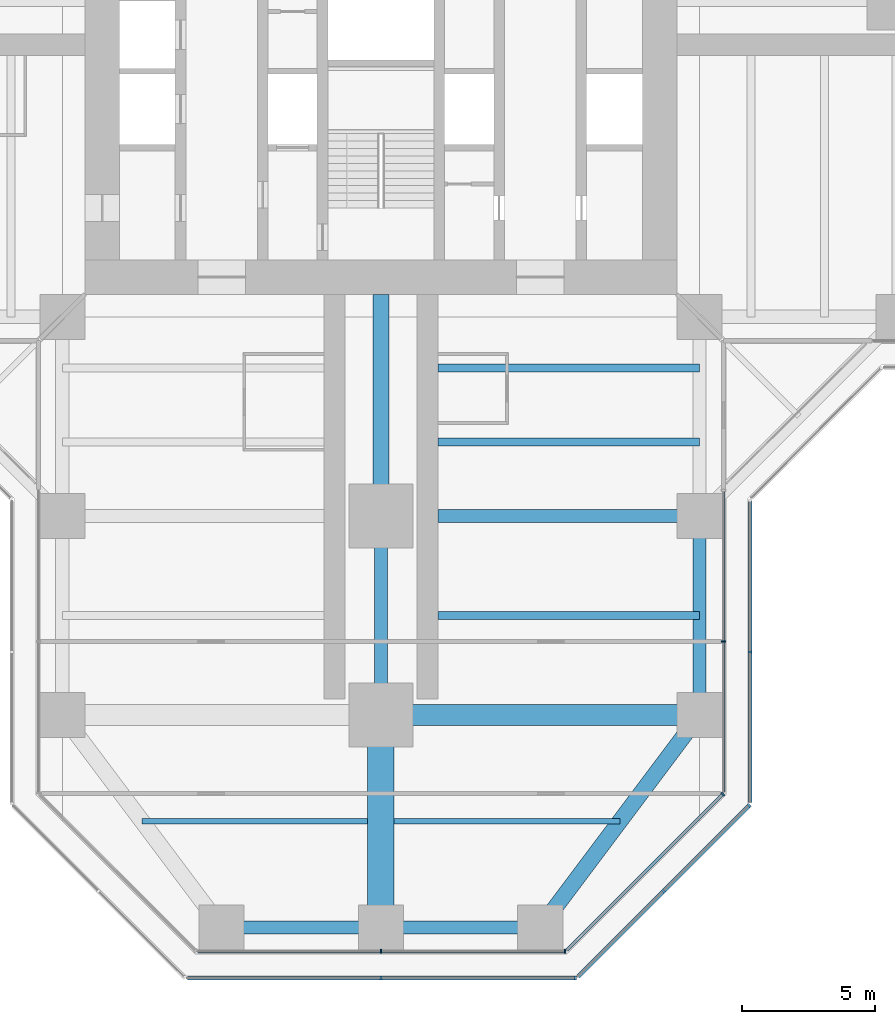
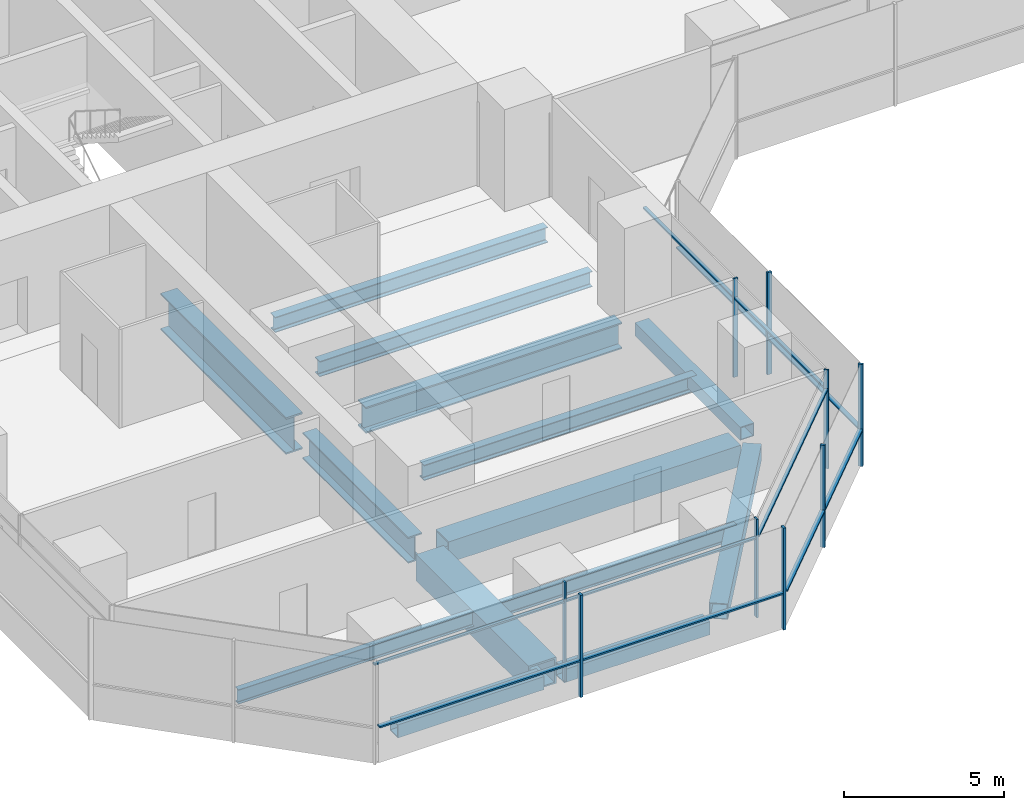
# One storey, part 5 of 22: 20 members, 14 beams, 6 elements without a shape of their own.
"""IFC4 building model written with IfcOpenShell, lengths in metres."""

from ifc_helpers import new_model, si_unit, direction, frame, origin, origin_2d, place, context, subcontext, project, spatial, rectangle, hollow_rectangle, i_section, extrude, material, material_profile, profile_set, type_object, element, aggregate, save


model = new_model("IFC4")

# Units and contexts
model_context = context("Model", 3, precision=1e-05, world=origin(), true_north=direction((0.0, 1.0)))
body_context = subcontext(model_context, "Body", "Model", "MODEL_VIEW")
ifc_project = project(units=[si_unit("LENGTHUNIT", "METRE"), si_unit("AREAUNIT", "SQUARE_METRE"), si_unit("VOLUMEUNIT", "CUBIC_METRE"), si_unit("PLANEANGLEUNIT", "RADIAN"), si_unit("MASSUNIT", "GRAM", prefix="KILO")], contexts=[model_context])

# Site, building, storey
site_placement = place(None, origin())
site = spatial("IfcSite", under=ifc_project, at=site_placement, CompositionType="ELEMENT")
building_placement = place(site_placement, origin())
building = spatial("IfcBuilding", under=site, at=building_placement, Name="Mizan Broadcast Tower", CompositionType="ELEMENT")
storey_placement = place(building_placement, frame((0.0, 0.0, 98.10009765625)))
storey = spatial("IfcBuildingStorey", under=building, at=storey_placement, Name="L21", CompositionType="ELEMENT", Elevation=98.10009765625)

# Beams
ifc_material_1 = material(Name="Steel S355", Category="steel")
ifc_material_profile_1 = material_profile(ifc_material_1, hollow_rectangle(XDim=0.5, YDim=0.5, WallThickness=0.030029296875, at=origin_2d()), Name="BOX 500x500x30")
ifc_profile_set_1 = profile_set([ifc_material_profile_1], Name="Steel S355")
beam_type_1 = type_object("IfcBeamType", Name="EDGE BEAM BOX 500x500x30", PredefinedType="SPANDREL", material=ifc_profile_set_1)
beam_1_placement = place(storey_placement, frame((-5.639892578125, -35.0, -0.380126953125), z_axis=(1.0, 0.0, 0.0), x_axis=(0.0, 1.0, 0.0)))
element("IfcBeam", 1, at=beam_1_placement, inside=storey, type_object=beam_type_1, Name="Edge beam BOX 500x500x30 L21 south arm", PredefinedType="SPANDREL", context=body_context, shape_type="SweptSolid", body=[
    extrude(hollow_rectangle(XDim=0.5, YDim=0.5, WallThickness=0.030029296875, at=origin_2d()), origin(), (0.0, 0.0, 1.0), 5.27978515625),
])
beam_2_placement = place(storey_placement, frame((12.0, -19.949951171875, -0.380126953125), z_axis=(0.0, -1.0, 0.0), x_axis=(1.0, 0.0, 0.0)))
element("IfcBeam", 2, at=beam_2_placement, inside=storey, type_object=beam_type_1, Name="Edge beam BOX 500x500x30 L21 south arm", PredefinedType="SPANDREL", context=body_context, shape_type="SweptSolid", body=[
    extrude(hollow_rectangle(XDim=0.5, YDim=0.5, WallThickness=0.030029296875, at=origin_2d()), origin(), (0.0, 0.0, 1.0), 6.60009765625),
])
beam_3_placement = place(storey_placement, frame((5.639892578125, -35.0, -0.380126953125), z_axis=(-1.0, 0.0, 0.0), x_axis=(0.0, -1.0, 0.0)))
element("IfcBeam", 3, at=beam_3_placement, inside=storey, type_object=beam_type_1, Name="Edge beam BOX 500x500x30 L21 south arm", PredefinedType="SPANDREL", context=body_context, shape_type="SweptSolid", body=[
    extrude(hollow_rectangle(XDim=0.5, YDim=0.5, WallThickness=0.030029296875, at=origin_2d()), origin(), (0.0, 0.0, 1.0), 5.27978515625),
])
ifc_material_2 = material(Name="Steel S355", Category="steel")
ifc_material_profile_2 = material_profile(ifc_material_2, hollow_rectangle(XDim=0.60009765625, YDim=0.60009765625, WallThickness=0.030029296875, at=origin_2d()), Name="BOX 600x600x30")
ifc_profile_set_2 = profile_set([ifc_material_profile_2], Name="Steel S355")
beam_type_2 = type_object("IfcBeamType", Name="EDGE BEAM BOX 600x600x30", PredefinedType="SPANDREL", material=ifc_profile_set_2)
beam_4_placement = place(storey_placement, frame((11.639892578125, -27.47998046875, -0.43017578125), z_axis=(-0.599982243973, -0.800013316712, 0.0), x_axis=(0.800013316712, -0.599982243973, 0.0)))
element("IfcBeam", 4, at=beam_4_placement, inside=storey, type_object=beam_type_2, Name="Edge beam BOX 600x600x30 L21 south arm", PredefinedType="SPANDREL", context=body_context, shape_type="SweptSolid", body=[
    extrude(hollow_rectangle(XDim=0.60009765625, YDim=0.60009765625, WallThickness=0.030029296875, at=origin_2d()), origin(), (0.0, 0.0, 1.0), 8.7998046875),
])
ifc_material_3 = material(Name="Steel S460", Category="steel")
ifc_material_profile_3 = material_profile(ifc_material_3, hollow_rectangle(XDim=1.0, YDim=1.0, WallThickness=0.06005859375, at=origin_2d()), Name="BOX 1000x1000x60")
ifc_profile_set_3 = profile_set([ifc_material_profile_3], Name="Steel S460")
beam_type_3 = type_object("IfcBeamType", Name="GIRDER BOX 1000x1000x60", PredefinedType="BEAM", material=ifc_profile_set_3)
beam_5_placement = place(storey_placement, frame((0.0, -27.47998046875, -0.630126953125), z_axis=(0.0, -1.0, 0.0), x_axis=(1.0, 0.0, 0.0)))
element("IfcBeam", 5, at=beam_5_placement, inside=storey, type_object=beam_type_3, Name="Girder BOX 1000x1000x60 L21 south arm", PredefinedType="BEAM", context=body_context, shape_type="SweptSolid", body=[
    extrude(hollow_rectangle(XDim=1.0, YDim=1.0, WallThickness=0.06005859375, at=origin_2d()), origin(), (0.0, 0.0, 1.0), 7.0400390625),
])
ifc_material_4 = material(Name="Steel S460", Category="steel")
ifc_material_profile_4 = material_profile(ifc_material_4, hollow_rectangle(XDim=0.800048828125, YDim=0.800048828125, WallThickness=0.050048828125, at=origin_2d()), Name="BOX 800x800x50")
ifc_profile_set_4 = profile_set([ifc_material_profile_4], Name="Steel S460")
beam_type_4 = type_object("IfcBeamType", Name="GIRDER BOX 800x800x50", PredefinedType="BEAM", material=ifc_profile_set_4)
beam_6_placement = place(storey_placement, frame((11.280029296875, -27.0, -0.530029296875), z_axis=(-1.0, 0.0, 0.0), x_axis=(0.0, -1.0, 0.0)))
element("IfcBeam", 6, at=beam_6_placement, inside=storey, type_object=beam_type_4, Name="Girder BOX 800x800x50 L21 south arm", PredefinedType="BEAM", context=body_context, shape_type="SweptSolid", body=[
    extrude(hollow_rectangle(XDim=0.800048828125, YDim=0.800048828125, WallThickness=0.050048828125, at=origin_2d()), origin(), (0.0, 0.0, 1.0), 10.56005859375),
])
ifc_material_5 = material(Name="Steel S460", Category="steel")
ifc_material_profile_5 = material_profile(ifc_material_5, i_section(OverallWidth=0.5, OverallDepth=1.0, WebThickness=0.02490234375, FlangeThickness=0.050048828125, at=origin_2d()), Name="WPG 1000x500")
ifc_profile_set_5 = profile_set([ifc_material_profile_5], Name="Steel S460")
beam_type_5 = type_object("IfcBeamType", Name="GIRDER WPG 1000x500", PredefinedType="BEAM", material=ifc_profile_set_5)
beam_7_placement = place(storey_placement, frame((0.0, -19.949951171875, -0.630126953125), z_axis=(0.0, -1.0, 0.0), x_axis=(1.0, 0.0, 0.0)))
element("IfcBeam", 7, at=beam_7_placement, inside=storey, type_object=beam_type_5, Name="Girder WPG 1000x500 L21 south arm", PredefinedType="BEAM", context=body_context, shape_type="SweptSolid", body=[
    extrude(i_section(OverallWidth=0.5, OverallDepth=1.0, WebThickness=0.02490234375, FlangeThickness=0.050048828125, at=origin_2d()), origin(), (0.0, 0.0, 1.0), 6.60009765625),
])
beam_8_placement = place(storey_placement, frame((11.408935546875, -19.5, -0.630126953125), z_axis=(-1.0, 0.0, 0.0), x_axis=(0.0, -1.0, 0.0)))
element("IfcBeam", 8, at=beam_8_placement, inside=storey, type_object=beam_type_5, Name="Girder WPG 1000x500 L21 south arm", PredefinedType="BEAM", context=body_context, shape_type="SweptSolid", body=[
    extrude(i_section(OverallWidth=0.5, OverallDepth=1.0, WebThickness=0.02490234375, FlangeThickness=0.050048828125, at=origin_2d()), origin(), (0.0, 0.0, 1.0), 9.259033203125),
])
ifc_material_6 = material(Name="Steel S460", Category="steel")
ifc_material_profile_6 = material_profile(ifc_material_6, i_section(OverallWidth=0.60009765625, OverallDepth=1.39990234375, WebThickness=0.02490234375, FlangeThickness=0.06005859375, at=origin_2d()), Name="WPG 1400x600")
ifc_profile_set_6 = profile_set([ifc_material_profile_6], Name="Steel S460")
beam_type_6 = type_object("IfcBeamType", Name="GIRDER WPG 1400x600", PredefinedType="BEAM", material=ifc_profile_set_6)
beam_9_placement = place(storey_placement, frame((0.0, -11.14990234375, -0.830078125), z_axis=(0.0, -1.0, 0.0), x_axis=(1.0, 0.0, 0.0)))
element("IfcBeam", 9, at=beam_9_placement, inside=storey, type_object=beam_type_6, Name="Girder WPG 1400x600 L21 south arm", PredefinedType="BEAM", context=body_context, shape_type="SweptSolid", body=[
    extrude(i_section(OverallWidth=0.60009765625, OverallDepth=1.39990234375, WebThickness=0.02490234375, FlangeThickness=0.06005859375, at=origin_2d()), origin(), (0.0, 0.0, 1.0), 7.84912109375),
])

# Curtain wall, members
ifc_material_7 = material(Name="Aluminium framed glazing", Category="aluminium")
curtain_wall_type_1 = type_object("IfcCurtainWallType", Name="INNER SKIN LOW ZONE", PredefinedType="USERDEFINED", material=ifc_material_7)
curtain_wall_1_placement = place(storey_placement, origin())
curtain_wall_1 = element("IfcCurtainWall", 10, at=curtain_wall_1_placement, inside=storey, type_object=curtain_wall_type_1, Name="Inner skin low zone L21 S end", ObjectType="INNER SKIN LOW ZONE", PredefinedType="USERDEFINED")
ifc_material_8 = material(Name="Aluminium, pale anodised", Category="aluminium")
ifc_material_profile_7 = material_profile(ifc_material_8, rectangle(XDim=0.159912109375, YDim=0.06005859375, at=origin_2d()), Name="MULLION 160x60")
ifc_profile_set_7 = profile_set([ifc_material_profile_7], Name="Aluminium, pale anodised")
member_type_1 = type_object("IfcMemberType", Name="INNER SKIN MULLION 60x160", PredefinedType="MULLION", material=ifc_profile_set_7)
member_1_placement = place(storey_placement, frame((0.0, -35.89990234375, 0.0), z_axis=(0.0, 0.0, 1.0), x_axis=(0.0, 1.0, 0.0)))
member_1 = element("IfcMember", 11, at=member_1_placement, type_object=member_type_1, Name="Inner skin low zone L21 S end mullion 2", PredefinedType="MULLION", context=body_context, shape_type="SweptSolid", body=[
    extrude(rectangle(XDim=0.159912109375, YDim=0.06005859375, at=origin_2d()), origin(), (0.0, 0.0, 1.0), 3.77001953125),
])
member_2_placement = place(storey_placement, frame((6.928466796875, -35.89990234375, 0.0), z_axis=(0.0, 0.0, 1.0), x_axis=(0.0, 1.0, 0.0)))
member_2 = element("IfcMember", 12, at=member_2_placement, type_object=member_type_1, Name="Inner skin low zone L21 S end mullion 3", PredefinedType="MULLION", context=body_context, shape_type="SweptSolid", body=[
    extrude(rectangle(XDim=0.159912109375, YDim=0.06005859375, at=origin_2d()), origin(), (0.0, 0.0, 1.0), 3.77001953125),
])

# Curtain wall, member
curtain_wall_2_placement = place(storey_placement, origin())
curtain_wall_2 = element("IfcCurtainWall", 13, at=curtain_wall_2_placement, inside=storey, type_object=curtain_wall_type_1, Name="Inner skin low zone L21 S chamfer", ObjectType="INNER SKIN LOW ZONE", PredefinedType="USERDEFINED")
member_3_placement = place(storey_placement, frame((12.87890625, -29.979736328125, 0.0), z_axis=(0.0, 0.0, 1.0), x_axis=(-0.707106781187, 0.707106781187, 0.0)))
member_3 = element("IfcMember", 14, at=member_3_placement, type_object=member_type_1, Name="Inner skin low zone L21 S chamfer mullion 2", PredefinedType="MULLION", context=body_context, shape_type="SweptSolid", body=[
    extrude(rectangle(XDim=0.159912109375, YDim=0.06005859375, at=origin_2d()), origin(), (0.0, 0.0, 1.0), 3.77001953125),
])

curtain_wall_3_placement = place(storey_placement, origin())
curtain_wall_3 = element("IfcCurtainWall", 15, at=curtain_wall_3_placement, inside=storey, type_object=curtain_wall_type_1, Name="Inner skin low zone L21 S side", ObjectType="INNER SKIN LOW ZONE", PredefinedType="USERDEFINED")
member_4_placement = place(storey_placement, frame((12.89990234375, -24.229248046875, 0.0), z_axis=(0.0, 0.0, 1.0), x_axis=(-1.0, 0.0, 0.0)))
member_4 = element("IfcMember", 16, at=member_4_placement, type_object=member_type_1, Name="Inner skin low zone L21 S side mullion 2", PredefinedType="MULLION", context=body_context, shape_type="SweptSolid", body=[
    extrude(rectangle(XDim=0.159912109375, YDim=0.06005859375, at=origin_2d()), origin(), (0.0, 0.0, 1.0), 3.77001953125),
])

# Member
ifc_material_9 = material(Name="Aluminium, pale anodised", Category="aluminium")
ifc_material_profile_8 = material_profile(ifc_material_9, rectangle(XDim=0.1201171875, YDim=0.06005859375, at=origin_2d()), Name="TRANSOM 120x60")
ifc_profile_set_8 = profile_set([ifc_material_profile_8], Name="Aluminium, pale anodised")
member_type_2 = type_object("IfcMemberType", Name="INNER SKIN TRANSOM 60x120", PredefinedType="USERDEFINED", material=ifc_profile_set_8)
member_5_placement = place(storey_placement, frame((-6.898681640625, -35.89990234375, 3.02978515625), z_axis=(1.0, 0.0, 0.0), x_axis=(0.0, 1.0, 0.0)))
member_5 = element("IfcMember", 17, at=member_5_placement, type_object=member_type_2, Name="Inner skin low zone L21 S end transom 1.1", ObjectType="TRANSOM", PredefinedType="USERDEFINED", context=body_context, shape_type="SweptSolid", body=[
    extrude(rectangle(XDim=0.1201171875, YDim=0.06005859375, at=origin_2d()), origin(), (0.0, 0.0, 1.0), 6.86865234375),
])

member_6_placement = place(storey_placement, frame((0.030029296875, -35.89990234375, 3.02978515625), z_axis=(1.0, 0.0, 0.0), x_axis=(0.0, 1.0, 0.0)))
member_6 = element("IfcMember", 18, at=member_6_placement, type_object=member_type_2, Name="Inner skin low zone L21 S end transom 2.1", ObjectType="TRANSOM", PredefinedType="USERDEFINED", context=body_context, shape_type="SweptSolid", body=[
    extrude(rectangle(XDim=0.1201171875, YDim=0.06005859375, at=origin_2d()), origin(), (0.0, 0.0, 1.0), 6.86865234375),
])

aggregate(curtain_wall_1, [member_1, member_2, member_5, member_6])

member_7_placement = place(storey_placement, frame((7.0009765625, -35.857666015625, 3.02978515625), z_axis=(0.707106781187, 0.707106781187, 0.0), x_axis=(-0.707106781187, 0.707106781187, 0.0)))
member_7 = element("IfcMember", 19, at=member_7_placement, type_object=member_type_2, Name="Inner skin low zone L21 S chamfer transom 1.1", ObjectType="TRANSOM", PredefinedType="USERDEFINED", context=body_context, shape_type="SweptSolid", body=[
    extrude(rectangle(XDim=0.1201171875, YDim=0.06005859375, at=origin_2d()), origin(), (0.0, 0.0, 1.0), 8.28271484375),
])

aggregate(curtain_wall_2, [member_3, member_7])

member_8_placement = place(storey_placement, frame((12.89990234375, -29.898681640625, 3.02978515625), z_axis=(0.0, 1.0, 0.0), x_axis=(-1.0, 0.0, 0.0)))
member_8 = element("IfcMember", 20, at=member_8_placement, type_object=member_type_2, Name="Inner skin low zone L21 S side transom 1.1", ObjectType="TRANSOM", PredefinedType="USERDEFINED", context=body_context, shape_type="SweptSolid", body=[
    extrude(rectangle(XDim=0.1201171875, YDim=0.06005859375, at=origin_2d()), origin(), (0.0, 0.0, 1.0), 5.639404296875),
])

member_9_placement = place(storey_placement, frame((12.89990234375, -24.19921875, 3.02978515625), z_axis=(0.0, 1.0, 0.0), x_axis=(-1.0, 0.0, 0.0)))
member_9 = element("IfcMember", 21, at=member_9_placement, type_object=member_type_2, Name="Inner skin low zone L21 S side transom 2.1", ObjectType="TRANSOM", PredefinedType="USERDEFINED", context=body_context, shape_type="SweptSolid", body=[
    extrude(rectangle(XDim=0.1201171875, YDim=0.06005859375, at=origin_2d()), origin(), (0.0, 0.0, 1.0), 5.63916015625),
])

aggregate(curtain_wall_3, [member_4, member_8, member_9])

# Curtain wall, members
ifc_material_10 = material(Name="Aluminium framed glazing", Category="aluminium")
curtain_wall_type_2 = type_object("IfcCurtainWallType", Name="OUTER SKIN", PredefinedType="USERDEFINED", material=ifc_material_10)
curtain_wall_4_placement = place(storey_placement, origin())
curtain_wall_4 = element("IfcCurtainWall", 22, at=curtain_wall_4_placement, inside=storey, type_object=curtain_wall_type_2, Name="Outer skin L21 S end", ObjectType="OUTER SKIN", PredefinedType="USERDEFINED")
ifc_material_11 = material(Name="Aluminium, pale anodised", Category="aluminium")
ifc_material_profile_9 = material_profile(ifc_material_11, rectangle(XDim=0.159912109375, YDim=0.080078125, at=origin_2d()), Name="MULLION 160x80")
ifc_profile_set_9 = profile_set([ifc_material_profile_9], Name="Aluminium, pale anodised")
member_type_3 = type_object("IfcMemberType", Name="OUTER SKIN MULLION 80x160", PredefinedType="MULLION", material=ifc_profile_set_9)
member_10_placement = place(storey_placement, frame((0.0, -36.89990234375, 0.0), z_axis=(0.0, 0.0, 1.0), x_axis=(0.0, 1.0, 0.0)))
member_10 = element("IfcMember", 23, at=member_10_placement, type_object=member_type_3, Name="Outer skin L21 S end mullion 2", PredefinedType="MULLION", context=body_context, shape_type="SweptSolid", body=[
    extrude(rectangle(XDim=0.159912109375, YDim=0.080078125, at=origin_2d()), origin(), (0.0, 0.0, 1.0), 3.89990234375),
])
member_11_placement = place(storey_placement, frame((7.332763671875, -36.89990234375, 0.0), z_axis=(0.0, 0.0, 1.0), x_axis=(0.0, 1.0, 0.0)))
member_11 = element("IfcMember", 24, at=member_11_placement, type_object=member_type_3, Name="Outer skin L21 S end mullion 3", PredefinedType="MULLION", context=body_context, shape_type="SweptSolid", body=[
    extrude(rectangle(XDim=0.159912109375, YDim=0.080078125, at=origin_2d()), origin(), (0.0, 0.0, 1.0), 3.89990234375),
])

curtain_wall_5_placement = place(storey_placement, origin())
curtain_wall_5 = element("IfcCurtainWall", 25, at=curtain_wall_5_placement, inside=storey, type_object=curtain_wall_type_2, Name="Outer skin L21 S chamfer", ObjectType="OUTER SKIN", PredefinedType="USERDEFINED")
member_12_placement = place(storey_placement, frame((10.636474609375, -33.636474609375, 0.0), z_axis=(0.0, 0.0, 1.0), x_axis=(-0.707106781187, 0.707106781187, 0.0)))
member_12 = element("IfcMember", 26, at=member_12_placement, type_object=member_type_3, Name="Outer skin L21 S chamfer mullion 2", PredefinedType="MULLION", context=body_context, shape_type="SweptSolid", body=[
    extrude(rectangle(XDim=0.159912109375, YDim=0.080078125, at=origin_2d()), origin(), (0.0, 0.0, 1.0), 3.89990234375),
])
member_13_placement = place(storey_placement, frame((13.871826171875, -30.401123046875, 0.0), z_axis=(0.0, 0.0, 1.0), x_axis=(-0.707106781187, 0.707106781187, 0.0)))
member_13 = element("IfcMember", 27, at=member_13_placement, type_object=member_type_3, Name="Outer skin L21 S chamfer mullion 3", PredefinedType="MULLION", context=body_context, shape_type="SweptSolid", body=[
    extrude(rectangle(XDim=0.159912109375, YDim=0.080078125, at=origin_2d()), origin(), (0.0, 0.0, 1.0), 3.89990234375),
])

# Curtain wall, member
curtain_wall_6_placement = place(storey_placement, origin())
curtain_wall_6 = element("IfcCurtainWall", 28, at=curtain_wall_6_placement, inside=storey, type_object=curtain_wall_type_2, Name="Outer skin L21 S side", ObjectType="OUTER SKIN", PredefinedType="USERDEFINED")
member_14_placement = place(storey_placement, frame((13.89990234375, -24.622802734375, 0.0), z_axis=(0.0, 0.0, 1.0), x_axis=(-1.0, 0.0, 0.0)))
member_14 = element("IfcMember", 29, at=member_14_placement, type_object=member_type_3, Name="Outer skin L21 S side mullion 2", PredefinedType="MULLION", context=body_context, shape_type="SweptSolid", body=[
    extrude(rectangle(XDim=0.159912109375, YDim=0.080078125, at=origin_2d()), origin(), (0.0, 0.0, 1.0), 3.89990234375),
])

# Member
ifc_material_12 = material(Name="Aluminium, pale anodised", Category="aluminium")
ifc_material_profile_10 = material_profile(ifc_material_12, rectangle(XDim=0.159912109375, YDim=0.06005859375, at=origin_2d()), Name="TRANSOM 160x60")
ifc_profile_set_10 = profile_set([ifc_material_profile_10], Name="Aluminium, pale anodised")
member_type_4 = type_object("IfcMemberType", Name="OUTER SKIN TRANSOM 60x160", PredefinedType="USERDEFINED", material=ifc_profile_set_10)
member_15_placement = place(storey_placement, frame((-7.292724609375, -36.89990234375, 1.39990234375), z_axis=(1.0, 0.0, 0.0), x_axis=(0.0, 1.0, 0.0)))
member_15 = element("IfcMember", 30, at=member_15_placement, type_object=member_type_4, Name="Outer skin L21 S end transom 1.1", ObjectType="TRANSOM", PredefinedType="USERDEFINED", context=body_context, shape_type="SweptSolid", body=[
    extrude(rectangle(XDim=0.159912109375, YDim=0.06005859375, at=origin_2d()), origin(), (0.0, 0.0, 1.0), 7.252685546875),
])

member_16_placement = place(storey_placement, frame((0.0400390625, -36.89990234375, 1.39990234375), z_axis=(1.0, 0.0, 0.0), x_axis=(0.0, 1.0, 0.0)))
member_16 = element("IfcMember", 31, at=member_16_placement, type_object=member_type_4, Name="Outer skin L21 S end transom 2.1", ObjectType="TRANSOM", PredefinedType="USERDEFINED", context=body_context, shape_type="SweptSolid", body=[
    extrude(rectangle(XDim=0.159912109375, YDim=0.06005859375, at=origin_2d()), origin(), (0.0, 0.0, 1.0), 7.252685546875),
])

aggregate(curtain_wall_4, [member_10, member_11, member_15, member_16])

member_17_placement = place(storey_placement, frame((7.429443359375, -36.843505859375, 1.39990234375), z_axis=(0.707106781187, 0.707106781187, 0.0), x_axis=(-0.707106781187, 0.707106781187, 0.0)))
member_17 = element("IfcMember", 32, at=member_17_placement, type_object=member_type_4, Name="Outer skin L21 S chamfer transom 1.1", ObjectType="TRANSOM", PredefinedType="USERDEFINED", context=body_context, shape_type="SweptSolid", body=[
    extrude(rectangle(XDim=0.159912109375, YDim=0.06005859375, at=origin_2d()), origin(), (0.0, 0.0, 1.0), 4.495361328125),
])

member_18_placement = place(storey_placement, frame((10.664794921875, -33.608154296875, 1.39990234375), z_axis=(0.707106781187, 0.707106781187, 0.0), x_axis=(-0.707106781187, 0.707106781187, 0.0)))
member_18 = element("IfcMember", 33, at=member_18_placement, type_object=member_type_4, Name="Outer skin L21 S chamfer transom 2.1", ObjectType="TRANSOM", PredefinedType="USERDEFINED", context=body_context, shape_type="SweptSolid", body=[
    extrude(rectangle(XDim=0.159912109375, YDim=0.06005859375, at=origin_2d()), origin(), (0.0, 0.0, 1.0), 4.495361328125),
])

aggregate(curtain_wall_5, [member_12, member_13, member_17, member_18])

member_19_placement = place(storey_placement, frame((13.89990234375, -30.292724609375, 1.39990234375), z_axis=(0.0, 1.0, 0.0), x_axis=(-1.0, 0.0, 0.0)))
member_19 = element("IfcMember", 34, at=member_19_placement, type_object=member_type_4, Name="Outer skin L21 S side transom 1.1", ObjectType="TRANSOM", PredefinedType="USERDEFINED", context=body_context, shape_type="SweptSolid", body=[
    extrude(rectangle(XDim=0.159912109375, YDim=0.06005859375, at=origin_2d()), origin(), (0.0, 0.0, 1.0), 5.6298828125),
])

member_20_placement = place(storey_placement, frame((13.89990234375, -24.582763671875, 1.39990234375), z_axis=(0.0, 1.0, 0.0), x_axis=(-1.0, 0.0, 0.0)))
member_20 = element("IfcMember", 35, at=member_20_placement, type_object=member_type_4, Name="Outer skin L21 S side transom 2.1", ObjectType="TRANSOM", PredefinedType="USERDEFINED", context=body_context, shape_type="SweptSolid", body=[
    extrude(rectangle(XDim=0.159912109375, YDim=0.06005859375, at=origin_2d()), origin(), (0.0, 0.0, 1.0), 5.6298828125),
])

aggregate(curtain_wall_6, [member_14, member_19, member_20])

# Beams
ifc_material_13 = material(Name="Steel S355", Category="steel")
ifc_material_profile_11 = material_profile(ifc_material_13, i_section(OverallWidth=0.300048828125, OverallDepth=0.590087890625, WebThickness=0.012939453125, FlangeThickness=0.02490234375, FilletRadius=0.027099609375, at=origin_2d()), Name="HEA 600")
ifc_profile_set_11 = profile_set([ifc_material_profile_11], Name="Steel S355")
beam_type_7 = type_object("IfcBeamType", Name="SECONDARY BEAM HEA 600", PredefinedType="JOIST", material=ifc_profile_set_11)
for number, where, z_axis, x_axis, name in (
    (36, (12.0, -13.933349609375, -0.425048828125), (-1.0, 0.0, 0.0), (0.0, -1.0, 0.0), "Secondary beam HEA 600 L21 south arm"),
    (37, (12.0, -16.716552734375, -0.425048828125), (-1.0, 0.0, 0.0), (0.0, -1.0, 0.0), "Secondary beam HEA 600 L21 south arm"),
    (38, (12.0, -23.25, -0.425048828125), (-1.0, 0.0, 0.0), (0.0, -1.0, 0.0), "Secondary beam HEA 600 L21 south arm"),
):
    element("IfcBeam", number, at=place(storey_placement, frame(where, z_axis=z_axis, x_axis=x_axis)), inside=storey, type_object=beam_type_7, Name=name, PredefinedType="JOIST", context=body_context, shape_type="SweptSolid", body=[
        extrude(i_section(OverallWidth=0.300048828125, OverallDepth=0.590087890625, WebThickness=0.012939453125, FlangeThickness=0.02490234375, FilletRadius=0.027099609375, at=origin_2d()), origin(), (0.0, 0.0, 1.0), 9.85009765625),
    ])
ifc_material_14 = material(Name="Steel S355", Category="steel")
ifc_material_profile_12 = material_profile(ifc_material_14, i_section(OverallWidth=0.2099609375, OverallDepth=0.550048828125, WebThickness=0.010986328125, FlangeThickness=0.01708984375, FilletRadius=0.02392578125, at=origin_2d()), Name="IPE 550")
ifc_profile_set_12 = profile_set([ifc_material_profile_12], Name="Steel S355")
beam_type_8 = type_object("IfcBeamType", Name="SECONDARY BEAM IPE 550", PredefinedType="JOIST", material=ifc_profile_set_12)
for number, where, z_axis, x_axis, name in (
    (39, (-9.0, -31.0, -0.405029296875), (1.0, 0.0, 0.0), (0.0, 1.0, 0.0), "Secondary beam IPE 550 L21 south arm"),
    (40, (9.0, -31.0, -0.405029296875), (-1.0, 0.0, 0.0), (0.0, -1.0, 0.0), "Secondary beam IPE 550 L21 south arm"),
):
    element("IfcBeam", number, at=place(storey_placement, frame(where, z_axis=z_axis, x_axis=x_axis)), inside=storey, type_object=beam_type_8, Name=name, PredefinedType="JOIST", context=body_context, shape_type="SweptSolid", body=[
        extrude(i_section(OverallWidth=0.2099609375, OverallDepth=0.550048828125, WebThickness=0.010986328125, FlangeThickness=0.01708984375, FilletRadius=0.02392578125, at=origin_2d()), origin(), (0.0, 0.0, 1.0), 8.5),
    ])

save(model, "model.ifc")
